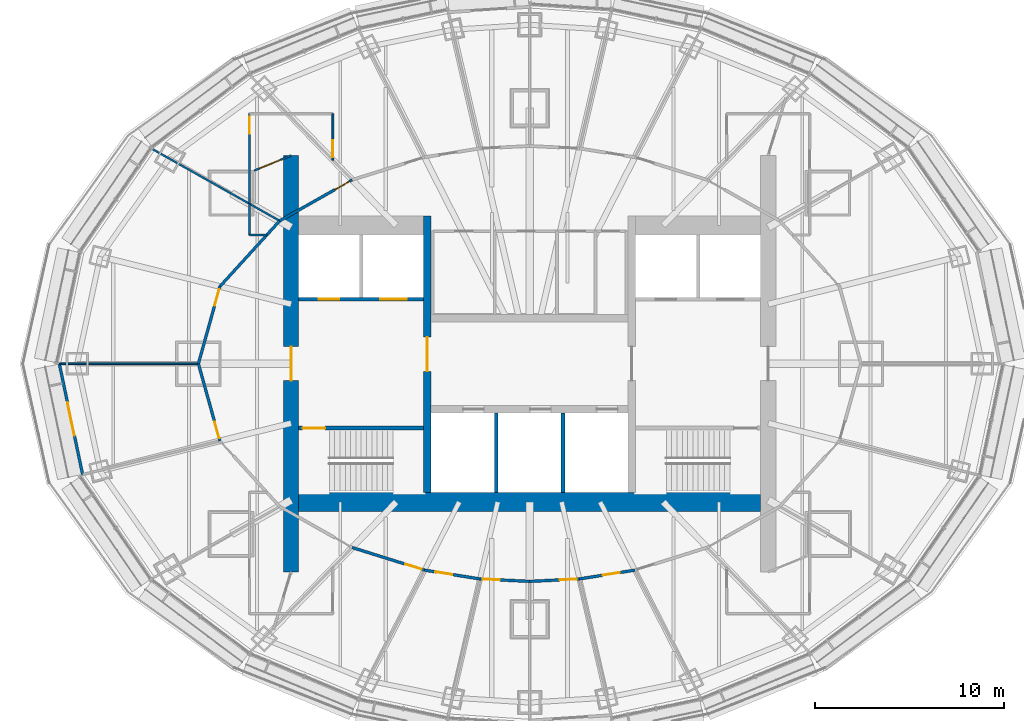
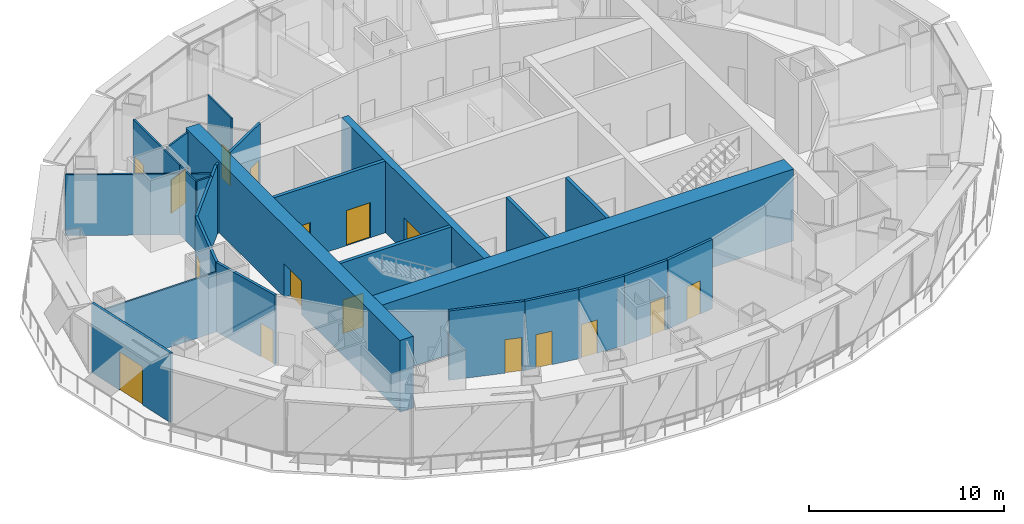
# One storey, part 10 of 17: 24 walls, 17 doors, 17 openings.
"""IFC4 building model written with IfcOpenShell, lengths in metres."""

from ifc_helpers import new_model, si_unit, direction, frame, frame_2d, origin, place, context, subcontext, project, spatial, rectangle, extrude, material, layer, layer_set, type_object, element, fill, save


model = new_model("IFC4")

# Units and contexts
model_context = context("Model", 3, precision=1e-05, world=origin(), true_north=direction((0.0, 1.0)))
body_context = subcontext(model_context, "Body", "Model", "MODEL_VIEW")
ifc_project = project(units=[si_unit("LENGTHUNIT", "METRE"), si_unit("AREAUNIT", "SQUARE_METRE"), si_unit("VOLUMEUNIT", "CUBIC_METRE"), si_unit("PLANEANGLEUNIT", "RADIAN"), si_unit("MASSUNIT", "GRAM", prefix="KILO")], contexts=[model_context])

# Site, building, storey
site_placement = place(None, origin())
site = spatial("IfcSite", under=ifc_project, at=site_placement, CompositionType="ELEMENT")
building_placement = place(site_placement, origin())
building = spatial("IfcBuilding", under=site, at=building_placement, Name="Lantaw Convention Tower", CompositionType="ELEMENT")
storey_placement = place(building_placement, frame((0.0, 0.0, 270.39990234375)))
storey = spatial("IfcBuildingStorey", under=building, at=storey_placement, Name="L63", CompositionType="ELEMENT", Elevation=270.39990234375)

# Wall
ifc_material_1 = material(Name="Concrete C60/75", Category="concrete")
ifc_layer_1 = layer(ifc_material_1, 1.0)
ifc_layer_set_1 = layer_set([ifc_layer_1], Name="Core wall 1000")
wall_type_1 = type_object("IfcWallType", Name="Core wall 1000", PredefinedType="SHEAR", material=ifc_layer_set_1)
wall_1_placement = place(storey_placement, frame((-12.199951171875, -7.300048828125, 0.0), z_axis=(0.0, 0.0, 1.0), x_axis=(1.0, 0.0, 0.0)))
element("IfcWall", 1, at=wall_1_placement, inside=storey, type_object=wall_type_1, Name="Core wall S", PredefinedType="SHEAR", context=body_context, shape_type="SweptSolid", body=[
    extrude(rectangle(XDim=24.39990234375, YDim=1.0, at=frame_2d((12.199951171875, 0.0))), origin(), (0.0, 0.0, 1.0), 4.5),
])

# Wall, opening, door
ifc_layer_2 = layer(ifc_material_1, 0.199951171875)
ifc_layer_set_2 = layer_set([ifc_layer_2], Name="Core wall 200")
wall_type_2 = type_object("IfcWallType", Name="Core wall 200", PredefinedType="SHEAR", material=ifc_layer_set_2)
wall_2_placement = place(storey_placement, frame((-5.60009765625, -3.39990234375, 0.0), z_axis=(0.0, 0.0, 1.0), x_axis=(-1.0, 0.0, 0.0)))
wall_2 = element("IfcWall", 2, at=wall_2_placement, inside=storey, type_object=wall_type_2, Name="Core wall WS", PredefinedType="SHEAR", context=body_context, shape_type="SweptSolid", body=[
    extrude(rectangle(XDim=6.599853515625, YDim=0.199951171875, at=frame_2d((3.2998046875, 0.0))), origin(), (0.0, 0.0, 1.0), 4.5),
])
opening_1_placement = place(wall_2_placement, frame((5.199951171875, 0.0, 0.0)))
opening_1 = element("IfcOpeningElement", 3, at=opening_1_placement, cuts=wall_2, Name="Opening L63.04", PredefinedType="OPENING", context=body_context, shape_type="SweptSolid", body=[
    extrude(rectangle(XDim=1.199951171875, YDim=2.10009765625, at=frame_2d((0.60009765625, 1.050048828125))), frame((0.0, 0.10986328125, 0.0), z_axis=(0.0, -1.0, 0.0), x_axis=(1.0, 0.0, 0.0)), (0.0, 0.0, 1.0), 0.219970703125),
])
ifc_material_2 = material(Name="Steel, fire rated", Category="steel")
door_type_1 = type_object("IfcDoorType", Name="Stair door FD90", OperationType="SINGLE_SWING_RIGHT", PredefinedType="DOOR", material=ifc_material_2)
door_1_placement = place(opening_1_placement, origin())
door_1 = element("IfcDoor", 4, at=door_1_placement, inside=storey, type_object=door_type_1, Name="Exit stair door", OperationType="SINGLE_SWING_RIGHT", OverallHeight=2.10009765625, OverallWidth=1.199951171875, PredefinedType="DOOR", context=body_context, shape_type="SweptSolid", body=[
    extrude(rectangle(XDim=1.199951171875, YDim=2.10009765625, at=frame_2d((0.60009765625, 1.050048828125))), frame((0.0, 0.02490234375, 0.0), z_axis=(0.0, -1.0, 0.0), x_axis=(1.0, 0.0, 0.0)), (0.0, 0.0, 1.0), 0.050048828125),
])
fill(opening_1, door_1)

ifc_layer_3 = layer(ifc_material_1, 0.39990234375)
ifc_layer_set_3 = layer_set([ifc_layer_3], Name="Core wall 400")
wall_type_3 = type_object("IfcWallType", Name="Core wall 400", PredefinedType="SHEAR", material=ifc_layer_set_3)
wall_3_placement = place(storey_placement, frame((-5.39990234375, 7.800048828125, 0.0), z_axis=(0.0, 0.0, 1.0), x_axis=(0.0, -1.0, 0.0)))
wall_3 = element("IfcWall", 5, at=wall_3_placement, inside=storey, type_object=wall_type_3, Name="Core wall XW", PredefinedType="SHEAR", context=body_context, shape_type="SweptSolid", body=[
    extrude(rectangle(XDim=14.60009765625, YDim=0.39990234375, at=frame_2d((7.300048828125, 0.0))), origin(), (0.0, 0.0, 1.0), 4.5),
])
opening_2_placement = place(wall_3_placement, frame((6.39990234375, 0.0, 0.0)))
opening_2 = element("IfcOpeningElement", 6, at=opening_2_placement, cuts=wall_3, Name="Opening L63.02", PredefinedType="OPENING", context=body_context, shape_type="SweptSolid", body=[
    extrude(rectangle(XDim=1.800048828125, YDim=2.10009765625, at=frame_2d((0.89990234375, 1.050048828125))), frame((0.0, 0.2099609375, 0.0), z_axis=(0.0, -1.0, 0.0), x_axis=(1.0, 0.0, 0.0)), (0.0, 0.0, 1.0), 0.419921875),
])
door_type_2 = type_object("IfcDoorType", Name="Lobby double door FD90", OperationType="DOUBLE_DOOR_DOUBLE_SWING", PredefinedType="DOOR", material=ifc_material_2)
door_2_placement = place(opening_2_placement, origin())
door_2 = element("IfcDoor", 7, at=door_2_placement, inside=storey, type_object=door_type_2, Name="Lift lobby door", OperationType="DOUBLE_DOOR_DOUBLE_SWING", OverallHeight=2.10009765625, OverallWidth=1.800048828125, PredefinedType="DOOR", context=body_context, shape_type="SweptSolid", body=[
    extrude(rectangle(XDim=1.800048828125, YDim=2.10009765625, at=frame_2d((0.89990234375, 1.050048828125))), frame((0.0, 0.02490234375, 0.0), z_axis=(0.0, -1.0, 0.0), x_axis=(1.0, 0.0, 0.0)), (0.0, 0.0, 1.0), 0.050048828125),
])
fill(opening_2, door_2)

ifc_layer_4 = layer(ifc_material_1, 0.800048828125)
ifc_layer_set_4 = layer_set([ifc_layer_4], Name="Core wall 800")
wall_type_4 = type_object("IfcWallType", Name="Core wall 800", PredefinedType="SHEAR", material=ifc_layer_set_4)
wall_4_placement = place(storey_placement, frame((-12.60009765625, 11.0, 0.0), z_axis=(0.0, 0.0, 1.0), x_axis=(0.0, -1.0, 0.0)))
wall_4 = element("IfcWall", 8, at=wall_4_placement, inside=storey, type_object=wall_type_4, Name="Core wall W", PredefinedType="SHEAR", context=body_context, shape_type="SweptSolid", body=[
    extrude(rectangle(XDim=22.0, YDim=0.800048828125, at=frame_2d((11.0, 0.0))), origin(), (0.0, 0.0, 1.0), 4.5),
])
opening_3_placement = place(wall_4_placement, frame((10.10009765625, 0.0, 0.0)))
opening_3 = element("IfcOpeningElement", 9, at=opening_3_placement, cuts=wall_4, Name="Opening L63.06", PredefinedType="OPENING", context=body_context, shape_type="SweptSolid", body=[
    extrude(rectangle(XDim=1.800048828125, YDim=2.10009765625, at=frame_2d((0.89990234375, 1.050048828125))), frame((0.0, 0.409912109375, 0.0), z_axis=(0.0, -1.0, 0.0), x_axis=(1.0, 0.0, 0.0)), (0.0, 0.0, 1.0), 0.820068359375),
])
door_3_placement = place(opening_3_placement, origin())
door_3 = element("IfcDoor", 10, at=door_3_placement, inside=storey, type_object=door_type_2, Name="Firefighting lobby door", OperationType="DOUBLE_DOOR_DOUBLE_SWING", OverallHeight=2.10009765625, OverallWidth=1.800048828125, PredefinedType="DOOR", context=body_context, shape_type="SweptSolid", body=[
    extrude(rectangle(XDim=1.800048828125, YDim=2.10009765625, at=frame_2d((0.89990234375, 1.050048828125))), frame((0.0, 0.02490234375, 0.0), z_axis=(0.0, -1.0, 0.0), x_axis=(1.0, 0.0, 0.0)), (0.0, 0.0, 1.0), 0.050048828125),
])
fill(opening_3, door_3)

ifc_material_3 = material(Name="Gypsum board on steel studs, fire rated", Category="steel")
ifc_layer_5 = layer(ifc_material_3, 0.10009765625)
ifc_layer_set_5 = layer_set([ifc_layer_5], Name="Corridor screen wall 100 EI 30")
wall_type_5 = type_object("IfcWallType", Name="Corridor screen wall 100 EI 30", PredefinedType="PARTITIONING", material=ifc_layer_set_5)
wall_5_placement = place(storey_placement, frame((-12.60009765625, 11.0, 0.0), z_axis=(0.0, 0.0, 1.0), x_axis=(-0.925157145479, -0.379584320237, 0.0)))
wall_5 = element("IfcWall", 11, at=wall_5_placement, inside=storey, type_object=wall_type_5, Name="Corridor screen wall 100", PredefinedType="PARTITIONING", context=body_context, shape_type="SweptSolid", body=[
    extrude(rectangle(XDim=2.107666015625, YDim=0.10009765625, at=frame_2d((1.0537109375, 0.0))), origin(), (0.0, 0.0, 1.0), 4.35009765625),
])
opening_4_placement = place(wall_5_placement, frame((0.60009765625, 0.0, 0.0)))
opening_4 = element("IfcOpeningElement", 12, at=opening_4_placement, cuts=wall_5, Name="Opening L63.50", PredefinedType="OPENING", context=body_context, shape_type="SweptSolid", body=[
    extrude(rectangle(XDim=1.199951171875, YDim=2.10009765625, at=frame_2d((0.60009765625, 1.050048828125))), frame((0.0, 0.06005859375, 0.0), z_axis=(0.0, -1.0, 0.0), x_axis=(1.0, 0.0, 0.0)), (0.0, 0.0, 1.0), 0.1201171875),
])
door_type_3 = type_object("IfcDoorType", Name="Cross-corridor door 1200 FD30", OperationType="DOUBLE_DOOR_DOUBLE_SWING", PredefinedType="DOOR", material=ifc_material_2)
door_4_placement = place(opening_4_placement, origin())
door_4 = element("IfcDoor", 13, at=door_4_placement, inside=storey, type_object=door_type_3, Name="Cross-corridor door", OperationType="DOUBLE_DOOR_DOUBLE_SWING", OverallHeight=2.10009765625, OverallWidth=1.199951171875, PredefinedType="DOOR", context=body_context, shape_type="SweptSolid", body=[
    extrude(rectangle(XDim=1.199951171875, YDim=2.10009765625, at=frame_2d((0.60009765625, 1.050048828125))), frame((0.0, 0.02490234375, 0.0), z_axis=(0.0, -1.0, 0.0), x_axis=(1.0, 0.0, 0.0)), (0.0, 0.0, 1.0), 0.050048828125),
])
fill(opening_4, door_4)

ifc_layer_6 = layer(ifc_material_3, 0.14990234375)
ifc_layer_set_6 = layer_set([ifc_layer_6], Name="Corridor wall 150 EI 60")
wall_type_6 = type_object("IfcWallType", Name="Corridor wall 150 EI 60", PredefinedType="PARTITIONING", material=ifc_layer_set_6)
wall_6_placement = place(storey_placement, frame((-9.376708984375, 9.7099609375, 0.0), z_axis=(0.0, 0.0, 1.0), x_axis=(-0.870593853694, -0.492002379984, 0.0)))
wall_6 = element("IfcWall", 14, at=wall_6_placement, inside=storey, type_object=wall_type_6, Name="Corridor wall 150", PredefinedType="PARTITIONING", context=body_context, shape_type="SweptSolid", body=[
    extrude(rectangle(XDim=4.39794921875, YDim=0.14990234375, at=frame_2d((2.198974609375, 0.0))), origin(), (0.0, 0.0, 1.0), 4.35009765625),
])
opening_5_placement = place(wall_6_placement, frame((0.14990234375, 0.0, 0.0)))
opening_5 = element("IfcOpeningElement", 15, at=opening_5_placement, cuts=wall_6, Name="Opening L63.26", PredefinedType="OPENING", context=body_context, shape_type="SweptSolid", body=[
    extrude(rectangle(XDim=0.89990234375, YDim=2.10009765625, at=frame_2d((0.449951171875, 1.050048828125))), frame((0.0, 0.0849609375, 0.0), z_axis=(0.0, -1.0, 0.0), x_axis=(1.0, 0.0, 0.0)), (0.0, 0.0, 1.0), 0.169921875),
])
door_type_4 = type_object("IfcDoorType", Name="Office door 900 FD30", OperationType="SINGLE_SWING_LEFT", PredefinedType="DOOR", material=ifc_material_2)
door_5_placement = place(opening_5_placement, origin())
door_5 = element("IfcDoor", 16, at=door_5_placement, inside=storey, type_object=door_type_4, Name="Executive office door", OperationType="SINGLE_SWING_LEFT", OverallHeight=2.10009765625, OverallWidth=0.89990234375, PredefinedType="DOOR", context=body_context, shape_type="SweptSolid", body=[
    extrude(rectangle(XDim=0.89990234375, YDim=2.10009765625, at=frame_2d((0.449951171875, 1.050048828125))), frame((0.0, 0.02490234375, 0.0), z_axis=(0.0, -1.0, 0.0), x_axis=(1.0, 0.0, 0.0)), (0.0, 0.0, 1.0), 0.050048828125),
])
fill(opening_5, door_5)

# Wall
wall_7_placement = place(storey_placement, frame((-13.20556640625, 7.546142578125, 0.0), z_axis=(0.0, 0.0, 1.0), x_axis=(-0.67323765707, -0.739426167445, 0.0)))
element("IfcWall", 17, at=wall_7_placement, inside=storey, type_object=wall_type_6, Name="Corridor wall 150", PredefinedType="PARTITIONING", context=body_context, shape_type="SweptSolid", body=[
    extrude(rectangle(XDim=4.688232421875, YDim=0.14990234375, at=frame_2d((2.34423828125, 0.0))), origin(), (0.0, 0.0, 1.0), 4.35009765625),
])

# Wall, opening, door
wall_8_placement = place(storey_placement, frame((-16.36181640625, 4.07958984375, 0.0), z_axis=(0.0, 0.0, 1.0), x_axis=(-0.268731808547, -0.963215040931, 0.0)))
wall_8 = element("IfcWall", 18, at=wall_8_placement, inside=storey, type_object=wall_type_6, Name="Corridor wall 150", PredefinedType="PARTITIONING", context=body_context, shape_type="SweptSolid", body=[
    extrude(rectangle(XDim=4.2353515625, YDim=0.14990234375, at=frame_2d((2.11767578125, 0.0))), origin(), (0.0, 0.0, 1.0), 4.35009765625),
])
opening_6_placement = place(wall_8_placement, frame((0.14990234375, 0.0, 0.0)))
opening_6 = element("IfcOpeningElement", 19, at=opening_6_placement, cuts=wall_8, Name="Opening L63.27", PredefinedType="OPENING", context=body_context, shape_type="SweptSolid", body=[
    extrude(rectangle(XDim=0.89990234375, YDim=2.10009765625, at=frame_2d((0.449951171875, 1.050048828125))), frame((0.0, 0.0849609375, 0.0), z_axis=(0.0, -1.0, 0.0), x_axis=(1.0, 0.0, 0.0)), (0.0, 0.0, 1.0), 0.169921875),
])
door_6_placement = place(opening_6_placement, origin())
door_6 = element("IfcDoor", 20, at=door_6_placement, inside=storey, type_object=door_type_4, Name="Boardroom door", OperationType="SINGLE_SWING_LEFT", OverallHeight=2.10009765625, OverallWidth=0.89990234375, PredefinedType="DOOR", context=body_context, shape_type="SweptSolid", body=[
    extrude(rectangle(XDim=0.89990234375, YDim=2.10009765625, at=frame_2d((0.449951171875, 1.050048828125))), frame((0.0, 0.02490234375, 0.0), z_axis=(0.0, -1.0, 0.0), x_axis=(1.0, 0.0, 0.0)), (0.0, 0.0, 1.0), 0.050048828125),
])
fill(opening_6, door_6)

wall_9_placement = place(storey_placement, frame((-17.5, 0.0, 0.0), z_axis=(0.0, 0.0, 1.0), x_axis=(0.268731808547, -0.963215040931, 0.0)))
wall_9 = element("IfcWall", 21, at=wall_9_placement, inside=storey, type_object=wall_type_6, Name="Corridor wall 150", PredefinedType="PARTITIONING", context=body_context, shape_type="SweptSolid", body=[
    extrude(rectangle(XDim=4.2353515625, YDim=0.14990234375, at=frame_2d((2.11767578125, 0.0))), origin(), (0.0, 0.0, 1.0), 4.35009765625),
])
opening_7_placement = place(wall_9_placement, frame((3.185302734375, 0.0, 0.0)))
opening_7 = element("IfcOpeningElement", 22, at=opening_7_placement, cuts=wall_9, Name="Opening L63.28", PredefinedType="OPENING", context=body_context, shape_type="SweptSolid", body=[
    extrude(rectangle(XDim=0.89990234375, YDim=2.10009765625, at=frame_2d((0.449951171875, 1.050048828125))), frame((0.0, 0.0849609375, 0.0), z_axis=(0.0, -1.0, 0.0), x_axis=(1.0, 0.0, 0.0)), (0.0, 0.0, 1.0), 0.169921875),
])
door_7_placement = place(opening_7_placement, origin())
door_7 = element("IfcDoor", 23, at=door_7_placement, inside=storey, type_object=door_type_4, Name="Executive office door", OperationType="SINGLE_SWING_LEFT", OverallHeight=2.10009765625, OverallWidth=0.89990234375, PredefinedType="DOOR", context=body_context, shape_type="SweptSolid", body=[
    extrude(rectangle(XDim=0.89990234375, YDim=2.10009765625, at=frame_2d((0.449951171875, 1.050048828125))), frame((0.0, 0.02490234375, 0.0), z_axis=(0.0, -1.0, 0.0), x_axis=(1.0, 0.0, 0.0)), (0.0, 0.0, 1.0), 0.050048828125),
])
fill(opening_7, door_7)

wall_10_placement = place(storey_placement, frame((-9.376708984375, -9.7099609375, 0.0), z_axis=(0.0, 0.0, 1.0), x_axis=(0.954393117131, -0.298552806004, 0.0)))
wall_10 = element("IfcWall", 24, at=wall_10_placement, inside=storey, type_object=wall_type_6, Name="Corridor wall 150", PredefinedType="PARTITIONING", context=body_context, shape_type="SweptSolid", body=[
    extrude(rectangle(XDim=4.0029296875, YDim=0.14990234375, at=frame_2d((2.00146484375, 0.0))), origin(), (0.0, 0.0, 1.0), 4.35009765625),
])
opening_8_placement = place(wall_10_placement, frame((2.952880859375, 0.0, 0.0)))
opening_8 = element("IfcOpeningElement", 25, at=opening_8_placement, cuts=wall_10, Name="Opening L63.31", PredefinedType="OPENING", context=body_context, shape_type="SweptSolid", body=[
    extrude(rectangle(XDim=0.89990234375, YDim=2.10009765625, at=frame_2d((0.449951171875, 1.050048828125))), frame((0.0, 0.0849609375, 0.0), z_axis=(0.0, -1.0, 0.0), x_axis=(1.0, 0.0, 0.0)), (0.0, 0.0, 1.0), 0.169921875),
])
door_8_placement = place(opening_8_placement, origin())
door_8 = element("IfcDoor", 26, at=door_8_placement, inside=storey, type_object=door_type_4, Name="Executive office door", OperationType="SINGLE_SWING_LEFT", OverallHeight=2.10009765625, OverallWidth=0.89990234375, PredefinedType="DOOR", context=body_context, shape_type="SweptSolid", body=[
    extrude(rectangle(XDim=0.89990234375, YDim=2.10009765625, at=frame_2d((0.449951171875, 1.050048828125))), frame((0.0, 0.02490234375, 0.0), z_axis=(0.0, -1.0, 0.0), x_axis=(1.0, 0.0, 0.0)), (0.0, 0.0, 1.0), 0.050048828125),
])
fill(opening_8, door_8)

wall_11_placement = place(storey_placement, frame((-5.556396484375, -10.905029296875, 0.0), z_axis=(0.0, 0.0, 1.0), x_axis=(0.987659371348, -0.156617260185, 0.0)))
wall_11 = element("IfcWall", 27, at=wall_11_placement, inside=storey, type_object=wall_type_6, Name="Corridor wall 150", PredefinedType="PARTITIONING", context=body_context, shape_type="SweptSolid", body=[
    extrude(rectangle(XDim=2.968017578125, YDim=0.14990234375, at=frame_2d((1.48388671875, 0.0))), origin(), (0.0, 0.0, 1.0), 4.35009765625),
])
opening_9_placement = place(wall_11_placement, frame((0.592041015625, 0.0, 0.0)))
opening_9 = element("IfcOpeningElement", 28, at=opening_9_placement, cuts=wall_11, Name="Opening L63.32", PredefinedType="OPENING", context=body_context, shape_type="SweptSolid", body=[
    extrude(rectangle(XDim=0.89990234375, YDim=2.10009765625, at=frame_2d((0.449951171875, 1.050048828125))), frame((0.0, 0.0849609375, 0.0), z_axis=(0.0, -1.0, 0.0), x_axis=(1.0, 0.0, 0.0)), (0.0, 0.0, 1.0), 0.169921875),
])
door_9_placement = place(opening_9_placement, origin())
door_9 = element("IfcDoor", 29, at=door_9_placement, inside=storey, type_object=door_type_4, Name="Executive office door", OperationType="SINGLE_SWING_LEFT", OverallHeight=2.10009765625, OverallWidth=0.89990234375, PredefinedType="DOOR", context=body_context, shape_type="SweptSolid", body=[
    extrude(rectangle(XDim=0.89990234375, YDim=2.10009765625, at=frame_2d((0.449951171875, 1.050048828125))), frame((0.0, 0.02490234375, 0.0), z_axis=(0.0, -1.0, 0.0), x_axis=(1.0, 0.0, 0.0)), (0.0, 0.0, 1.0), 0.050048828125),
])
fill(opening_9, door_9)

wall_12_placement = place(storey_placement, frame((-2.625, -11.369873046875, 0.0), z_axis=(0.0, 0.0, 1.0), x_axis=(0.99877355978, -0.049511375313, 0.0)))
wall_12 = element("IfcWall", 30, at=wall_12_placement, inside=storey, type_object=wall_type_6, Name="Corridor wall 150", PredefinedType="PARTITIONING", context=body_context, shape_type="SweptSolid", body=[
    extrude(rectangle(XDim=2.628173828125, YDim=0.14990234375, at=frame_2d((1.31396484375, 0.0))), origin(), (0.0, 0.0, 1.0), 4.35009765625),
])
opening_10_placement = place(wall_12_placement, frame((0.14990234375, 0.0, 0.0)))
opening_10 = element("IfcOpeningElement", 31, at=opening_10_placement, cuts=wall_12, Name="Opening L63.33", PredefinedType="OPENING", context=body_context, shape_type="SweptSolid", body=[
    extrude(rectangle(XDim=0.89990234375, YDim=2.10009765625, at=frame_2d((0.449951171875, 1.050048828125))), frame((0.0, 0.0849609375, 0.0), z_axis=(0.0, -1.0, 0.0), x_axis=(1.0, 0.0, 0.0)), (0.0, 0.0, 1.0), 0.169921875),
])
door_10_placement = place(opening_10_placement, origin())
door_10 = element("IfcDoor", 32, at=door_10_placement, inside=storey, type_object=door_type_4, Name="Executive office door", OperationType="SINGLE_SWING_LEFT", OverallHeight=2.10009765625, OverallWidth=0.89990234375, PredefinedType="DOOR", context=body_context, shape_type="SweptSolid", body=[
    extrude(rectangle(XDim=0.89990234375, YDim=2.10009765625, at=frame_2d((0.449951171875, 1.050048828125))), frame((0.0, 0.02490234375, 0.0), z_axis=(0.0, -1.0, 0.0), x_axis=(1.0, 0.0, 0.0)), (0.0, 0.0, 1.0), 0.050048828125),
])
fill(opening_10, door_10)

wall_13_placement = place(storey_placement, frame((0.0, -11.5, 0.0), z_axis=(0.0, 0.0, 1.0), x_axis=(0.99877355978, 0.049511375313, 0.0)))
wall_13 = element("IfcWall", 33, at=wall_13_placement, inside=storey, type_object=wall_type_6, Name="Corridor wall 150", PredefinedType="PARTITIONING", context=body_context, shape_type="SweptSolid", body=[
    extrude(rectangle(XDim=2.628173828125, YDim=0.14990234375, at=frame_2d((1.31396484375, 0.0))), origin(), (0.0, 0.0, 1.0), 4.35009765625),
])
opening_11_placement = place(wall_13_placement, frame((1.578125, 0.0, 0.0)))
opening_11 = element("IfcOpeningElement", 34, at=opening_11_placement, cuts=wall_13, Name="Opening L63.34", PredefinedType="OPENING", context=body_context, shape_type="SweptSolid", body=[
    extrude(rectangle(XDim=0.89990234375, YDim=2.10009765625, at=frame_2d((0.449951171875, 1.050048828125))), frame((0.0, 0.0849609375, 0.0), z_axis=(0.0, -1.0, 0.0), x_axis=(1.0, 0.0, 0.0)), (0.0, 0.0, 1.0), 0.169921875),
])
door_11_placement = place(opening_11_placement, origin())
door_11 = element("IfcDoor", 35, at=door_11_placement, inside=storey, type_object=door_type_4, Name="Executive office door", OperationType="SINGLE_SWING_LEFT", OverallHeight=2.10009765625, OverallWidth=0.89990234375, PredefinedType="DOOR", context=body_context, shape_type="SweptSolid", body=[
    extrude(rectangle(XDim=0.89990234375, YDim=2.10009765625, at=frame_2d((0.449951171875, 1.050048828125))), frame((0.0, 0.02490234375, 0.0), z_axis=(0.0, -1.0, 0.0), x_axis=(1.0, 0.0, 0.0)), (0.0, 0.0, 1.0), 0.050048828125),
])
fill(opening_11, door_11)

wall_14_placement = place(storey_placement, frame((2.625, -11.369873046875, 0.0), z_axis=(0.0, 0.0, 1.0), x_axis=(0.987659371348, 0.156617260185, 0.0)))
wall_14 = element("IfcWall", 36, at=wall_14_placement, inside=storey, type_object=wall_type_6, Name="Corridor wall 150", PredefinedType="PARTITIONING", context=body_context, shape_type="SweptSolid", body=[
    extrude(rectangle(XDim=2.968017578125, YDim=0.14990234375, at=frame_2d((1.48388671875, 0.0))), origin(), (0.0, 0.0, 1.0), 4.35009765625),
])
opening_12_placement = place(wall_14_placement, frame((1.2548828125, 0.0, 0.0)))
opening_12 = element("IfcOpeningElement", 37, at=opening_12_placement, cuts=wall_14, Name="Opening L63.35", PredefinedType="OPENING", context=body_context, shape_type="SweptSolid", body=[
    extrude(rectangle(XDim=0.89990234375, YDim=2.10009765625, at=frame_2d((0.449951171875, 1.050048828125))), frame((0.0, 0.0849609375, 0.0), z_axis=(0.0, -1.0, 0.0), x_axis=(1.0, 0.0, 0.0)), (0.0, 0.0, 1.0), 0.169921875),
])
door_12_placement = place(opening_12_placement, origin())
door_12 = element("IfcDoor", 38, at=door_12_placement, inside=storey, type_object=door_type_4, Name="Executive office door", OperationType="SINGLE_SWING_LEFT", OverallHeight=2.10009765625, OverallWidth=0.89990234375, PredefinedType="DOOR", context=body_context, shape_type="SweptSolid", body=[
    extrude(rectangle(XDim=0.89990234375, YDim=2.10009765625, at=frame_2d((0.449951171875, 1.050048828125))), frame((0.0, 0.02490234375, 0.0), z_axis=(0.0, -1.0, 0.0), x_axis=(1.0, 0.0, 0.0)), (0.0, 0.0, 1.0), 0.050048828125),
])
fill(opening_12, door_12)

ifc_material_4 = material(Name="Aluminium framed glazing", Category="aluminium")
ifc_layer_7 = layer(ifc_material_4, 0.14990234375)
ifc_layer_set_7 = layer_set([ifc_layer_7], Name="Glazed entrance screen 150")
wall_type_7 = type_object("IfcWallType", Name="Glazed entrance screen 150", PredefinedType="ELEMENTEDWALL", material=ifc_layer_set_7)
wall_15_placement = place(storey_placement, frame((-24.853271484375, 0.03076171875, 0.0), z_axis=(0.0, 0.0, 1.0), x_axis=(0.20581124117, -0.978591709043, 0.0)))
wall_15 = element("IfcWall", 39, at=wall_15_placement, inside=storey, type_object=wall_type_7, Name="Glazed entrance screen", PredefinedType="ELEMENTEDWALL", context=body_context, shape_type="SweptSolid", body=[
    extrude(rectangle(XDim=6.05224609375, YDim=0.14990234375, at=frame_2d((3.026123046875, 0.0))), origin(), (0.0, 0.0, 1.0), 4.35009765625),
])
opening_13_placement = place(wall_15_placement, frame((2.126220703125, 0.0, 0.0)))
opening_13 = element("IfcOpeningElement", 40, at=opening_13_placement, cuts=wall_15, Name="Opening L63.E12", PredefinedType="OPENING", context=body_context, shape_type="SweptSolid", body=[
    extrude(rectangle(XDim=1.800048828125, YDim=2.39990234375, at=frame_2d((0.89990234375, 1.199951171875))), frame((0.0, 0.0849609375, 0.0), z_axis=(0.0, -1.0, 0.0), x_axis=(1.0, 0.0, 0.0)), (0.0, 0.0, 1.0), 0.169921875),
])
ifc_material_5 = material(Name="Aluminium and glass", Category="aluminium")
door_type_5 = type_object("IfcDoorType", Name="Terrace door 1800", OperationType="DOUBLE_DOOR_DOUBLE_SWING", PredefinedType="DOOR", material=ifc_material_5)
door_13_placement = place(opening_13_placement, origin())
door_13 = element("IfcDoor", 41, at=door_13_placement, inside=storey, type_object=door_type_5, Name="Terrace door", OperationType="DOUBLE_DOOR_DOUBLE_SWING", OverallHeight=2.39990234375, OverallWidth=1.800048828125, PredefinedType="DOOR", context=body_context, shape_type="SweptSolid", body=[
    extrude(rectangle(XDim=1.800048828125, YDim=2.39990234375, at=frame_2d((0.89990234375, 1.199951171875))), frame((0.0, 0.02490234375, 0.0), z_axis=(0.0, -1.0, 0.0), x_axis=(1.0, 0.0, 0.0)), (0.0, 0.0, 1.0), 0.050048828125),
])
fill(opening_13, door_13)

# Walls
ifc_material_6 = material(Name="Gypsum board on steel studs, acoustic", Category="steel")
ifc_layer_8 = layer(ifc_material_6, 0.10009765625)
ifc_layer_set_8 = layer_set([ifc_layer_8], Name="Office partition 100")
wall_type_8 = type_object("IfcWallType", Name="Office partition 100", PredefinedType="PARTITIONING", material=ifc_layer_set_8)
wall_16_placement = place(storey_placement, frame((-19.958984375, 11.354736328125, 0.0), z_axis=(0.0, 0.0, 1.0), x_axis=(0.871035125561, -0.491220734537, 0.0)))
element("IfcWall", 42, at=wall_16_placement, inside=storey, type_object=wall_type_8, Name="Office partition 100", PredefinedType="PARTITIONING", context=body_context, shape_type="SweptSolid", body=[
    extrude(rectangle(XDim=7.75341796875, YDim=0.10009765625, at=frame_2d((3.876708984375, 0.0))), origin(), (0.0, 0.0, 1.0), 3.82421875),
])
wall_17_placement = place(storey_placement, frame((-24.8212890625, 0.0, 0.0), z_axis=(0.0, 0.0, 1.0), x_axis=(1.0, 0.0, 0.0)))
element("IfcWall", 43, at=wall_17_placement, inside=storey, type_object=wall_type_8, Name="Office partition 100", PredefinedType="PARTITIONING", context=body_context, shape_type="SweptSolid", body=[
    extrude(rectangle(XDim=7.3212890625, YDim=0.10009765625, at=frame_2d((3.66064453125, 0.0))), origin(), (0.0, 0.0, 1.0), 3.738037109375),
])

# Wall, opening, door
wall_18_placement = place(storey_placement, frame((-10.39990234375, 10.757568359375, 0.0), z_axis=(0.0, 0.0, 1.0), x_axis=(0.0, 1.0, 0.0)))
wall_18 = element("IfcWall", 44, at=wall_18_placement, inside=storey, type_object=wall_type_8, Name="Office partition 100", PredefinedType="PARTITIONING", context=body_context, shape_type="SweptSolid", body=[
    extrude(rectangle(XDim=2.4423828125, YDim=0.10009765625, at=frame_2d((1.22119140625, 0.0))), origin(), (0.0, 0.0, 1.0), 4.35009765625),
])
opening_14_placement = place(wall_18_placement, frame((0.14990234375, 0.0, 0.0)))
opening_14 = element("IfcOpeningElement", 45, at=opening_14_placement, cuts=wall_18, Name="Opening L63.42", PredefinedType="OPENING", context=body_context, shape_type="SweptSolid", body=[
    extrude(rectangle(XDim=0.89990234375, YDim=2.10009765625, at=frame_2d((0.449951171875, 1.050048828125))), frame((0.0, 0.06005859375, 0.0), z_axis=(0.0, -1.0, 0.0), x_axis=(1.0, 0.0, 0.0)), (0.0, 0.0, 1.0), 0.1201171875),
])
ifc_material_7 = material(Name="Timber", Category="wood")
door_type_6 = type_object("IfcDoorType", Name="Office door 900", OperationType="SINGLE_SWING_LEFT", PredefinedType="DOOR", material=ifc_material_7)
door_14_placement = place(opening_14_placement, origin())
door_14 = element("IfcDoor", 46, at=door_14_placement, inside=storey, type_object=door_type_6, Name="Executive office door", OperationType="SINGLE_SWING_LEFT", OverallHeight=2.10009765625, OverallWidth=0.89990234375, PredefinedType="DOOR", context=body_context, shape_type="SweptSolid", body=[
    extrude(rectangle(XDim=0.89990234375, YDim=2.10009765625, at=frame_2d((0.449951171875, 1.050048828125))), frame((0.0, 0.02490234375, 0.0), z_axis=(0.0, -1.0, 0.0), x_axis=(1.0, 0.0, 0.0)), (0.0, 0.0, 1.0), 0.050048828125),
])
fill(opening_14, door_14)

wall_19_placement = place(storey_placement, frame((-14.800048828125, 13.199951171875, 0.0), z_axis=(0.0, 0.0, 1.0), x_axis=(0.0, -1.0, 0.0)))
wall_19 = element("IfcWall", 47, at=wall_19_placement, inside=storey, type_object=wall_type_8, Name="Office partition 100", PredefinedType="PARTITIONING", context=body_context, shape_type="SweptSolid", body=[
    extrude(rectangle(XDim=4.754638671875, YDim=0.10009765625, at=frame_2d((2.37744140625, 0.0))), origin(), (0.0, 0.0, 1.0), 4.35009765625),
])
opening_15_placement = place(wall_19_placement, frame((0.14990234375, 0.0, 0.0)))
opening_15 = element("IfcOpeningElement", 48, at=opening_15_placement, cuts=wall_19, Name="Opening L63.43", PredefinedType="OPENING", context=body_context, shape_type="SweptSolid", body=[
    extrude(rectangle(XDim=0.89990234375, YDim=2.10009765625, at=frame_2d((0.449951171875, 1.050048828125))), frame((0.0, 0.06005859375, 0.0), z_axis=(0.0, -1.0, 0.0), x_axis=(1.0, 0.0, 0.0)), (0.0, 0.0, 1.0), 0.1201171875),
])
door_15_placement = place(opening_15_placement, origin())
door_15 = element("IfcDoor", 49, at=door_15_placement, inside=storey, type_object=door_type_6, Name="Executive office door", OperationType="SINGLE_SWING_LEFT", OverallHeight=2.10009765625, OverallWidth=0.89990234375, PredefinedType="DOOR", context=body_context, shape_type="SweptSolid", body=[
    extrude(rectangle(XDim=0.89990234375, YDim=2.10009765625, at=frame_2d((0.449951171875, 1.050048828125))), frame((0.0, 0.02490234375, 0.0), z_axis=(0.0, -1.0, 0.0), x_axis=(1.0, 0.0, 0.0)), (0.0, 0.0, 1.0), 0.050048828125),
])
fill(opening_15, door_15)

# Walls
wall_20_placement = place(storey_placement, frame((-14.800048828125, 8.4453125, 0.0), z_axis=(0.0, 0.0, 1.0), x_axis=(0.0, -1.0, 0.0)))
element("IfcWall", 50, at=wall_20_placement, inside=storey, type_object=wall_type_8, Name="Office partition 100", PredefinedType="PARTITIONING", context=body_context, shape_type="SweptSolid", body=[
    extrude(rectangle(XDim=1.645263671875, YDim=0.10009765625, at=frame_2d((0.82275390625, 0.0))), origin(), (0.0, 0.0, 1.0), 4.35009765625),
])
wall_21_placement = place(storey_placement, frame((-14.800048828125, 6.800048828125, 0.0), z_axis=(0.0, 0.0, 1.0), x_axis=(1.0, 0.0, 0.0)))
element("IfcWall", 51, at=wall_21_placement, inside=storey, type_object=wall_type_8, Name="Office partition 100", PredefinedType="PARTITIONING", context=body_context, shape_type="SweptSolid", body=[
    extrude(rectangle(XDim=0.915283203125, YDim=0.10009765625, at=frame_2d((0.45751953125, 0.0))), origin(), (0.0, 0.0, 1.0), 4.35009765625),
])

# Wall, openings, doors
ifc_material_8 = material(Name="Concrete blockwork, fire rated", Category="masonry")
ifc_layer_9 = layer(ifc_material_8, 0.199951171875)
ifc_layer_set_9 = layer_set([ifc_layer_9], Name="Shaft wall 200")
wall_type_9 = type_object("IfcWallType", Name="Shaft wall 200", PredefinedType="SOLIDWALL", material=ifc_layer_set_9)
wall_22_placement = place(storey_placement, frame((-12.199951171875, 3.39990234375, 0.0), z_axis=(0.0, 0.0, 1.0), x_axis=(1.0, 0.0, 0.0)))
wall_22 = element("IfcWall", 52, at=wall_22_placement, inside=storey, type_object=wall_type_9, Name="Shaft wall WN", PredefinedType="SOLIDWALL", context=body_context, shape_type="SweptSolid", body=[
    extrude(rectangle(XDim=6.599853515625, YDim=0.199951171875, at=frame_2d((3.2998046875, 0.0))), origin(), (0.0, 0.0, 1.0), 4.5),
])
opening_16_placement = place(wall_22_placement, frame((1.050048828125, 0.0, 0.0)))
opening_16 = element("IfcOpeningElement", 53, at=opening_16_placement, cuts=wall_22, Name="Opening L63.10", PredefinedType="OPENING", context=body_context, shape_type="SweptSolid", body=[
    extrude(rectangle(XDim=1.10009765625, YDim=2.199951171875, at=frame_2d((0.550048828125, 1.10009765625))), frame((0.0, 0.10986328125, 0.0), z_axis=(0.0, -1.0, 0.0), x_axis=(1.0, 0.0, 0.0)), (0.0, 0.0, 1.0), 0.219970703125),
])
opening_17_placement = place(wall_22_placement, frame((4.300048828125, 0.0, 0.0)))
opening_17 = element("IfcOpeningElement", 54, at=opening_17_placement, cuts=wall_22, Name="Opening L63.11", PredefinedType="OPENING", context=body_context, shape_type="SweptSolid", body=[
    extrude(rectangle(XDim=1.39990234375, YDim=2.199951171875, at=frame_2d((0.699951171875, 1.10009765625))), frame((0.0, 0.10986328125, 0.0), z_axis=(0.0, -1.0, 0.0), x_axis=(1.0, 0.0, 0.0)), (0.0, 0.0, 1.0), 0.219970703125),
])
ifc_material_9 = material(Name="Stainless steel", Category="steel")
door_type_7 = type_object("IfcDoorType", Name="Lift landing door 1100", OperationType="DOUBLE_DOOR_SLIDING", PredefinedType="DOOR", material=ifc_material_9)
door_16_placement = place(opening_16_placement, origin())
door_16 = element("IfcDoor", 55, at=door_16_placement, inside=storey, type_object=door_type_7, Name="Lift landing door FF1", OperationType="DOUBLE_DOOR_SLIDING", OverallHeight=2.199951171875, OverallWidth=1.10009765625, PredefinedType="DOOR", context=body_context, shape_type="SweptSolid", body=[
    extrude(rectangle(XDim=1.10009765625, YDim=2.199951171875, at=frame_2d((0.550048828125, 1.10009765625))), frame((0.0, 0.02490234375, 0.0), z_axis=(0.0, -1.0, 0.0), x_axis=(1.0, 0.0, 0.0)), (0.0, 0.0, 1.0), 0.050048828125),
])
fill(opening_16, door_16)
door_type_8 = type_object("IfcDoorType", Name="Lift landing door 1400", OperationType="DOUBLE_DOOR_SLIDING", PredefinedType="DOOR", material=ifc_material_9)
door_17_placement = place(opening_17_placement, origin())
door_17 = element("IfcDoor", 56, at=door_17_placement, inside=storey, type_object=door_type_8, Name="Lift landing door SV1", OperationType="DOUBLE_DOOR_SLIDING", OverallHeight=2.199951171875, OverallWidth=1.39990234375, PredefinedType="DOOR", context=body_context, shape_type="SweptSolid", body=[
    extrude(rectangle(XDim=1.39990234375, YDim=2.199951171875, at=frame_2d((0.699951171875, 1.10009765625))), frame((0.0, 0.02490234375, 0.0), z_axis=(0.0, -1.0, 0.0), x_axis=(1.0, 0.0, 0.0)), (0.0, 0.0, 1.0), 0.050048828125),
])
fill(opening_17, door_17)

# Walls
ifc_layer_10 = layer(ifc_material_8, 0.199951171875)
ifc_layer_set_10 = layer_set([ifc_layer_10], Name="Shaft wall 200 load-bearing")
wall_type_10 = type_object("IfcWallType", Name="Shaft wall 200 load-bearing", PredefinedType="SOLIDWALL", material=ifc_layer_set_10)
for number, where, z_axis, x_axis, name in (
    (57, (-1.7666015625, -2.60009765625, 0.0), (0.0, 0.0, 1.0), (0.0, -1.0, 0.0), "Shaft wall DS1"),
    (58, (1.7666015625, -2.60009765625, 0.0), (0.0, 0.0, 1.0), (0.0, -1.0, 0.0), "Shaft wall DS2"),
):
    element("IfcWall", number, at=place(storey_placement, frame(where, z_axis=z_axis, x_axis=x_axis)), inside=storey, type_object=wall_type_10, Name=name, PredefinedType="SOLIDWALL", context=body_context, shape_type="SweptSolid", body=[
        extrude(rectangle(XDim=4.199951171875, YDim=0.199951171875, at=frame_2d((2.10009765625, 0.0))), origin(), (0.0, 0.0, 1.0), 4.5),
    ])

save(model, "model.ifc")
